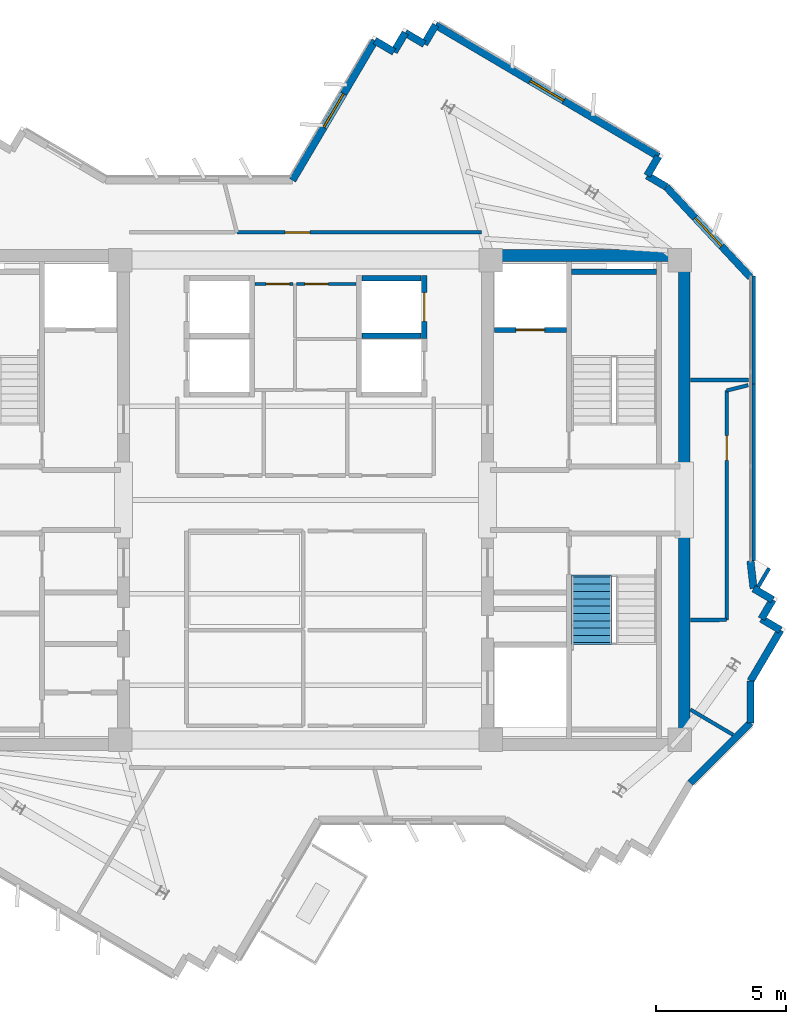
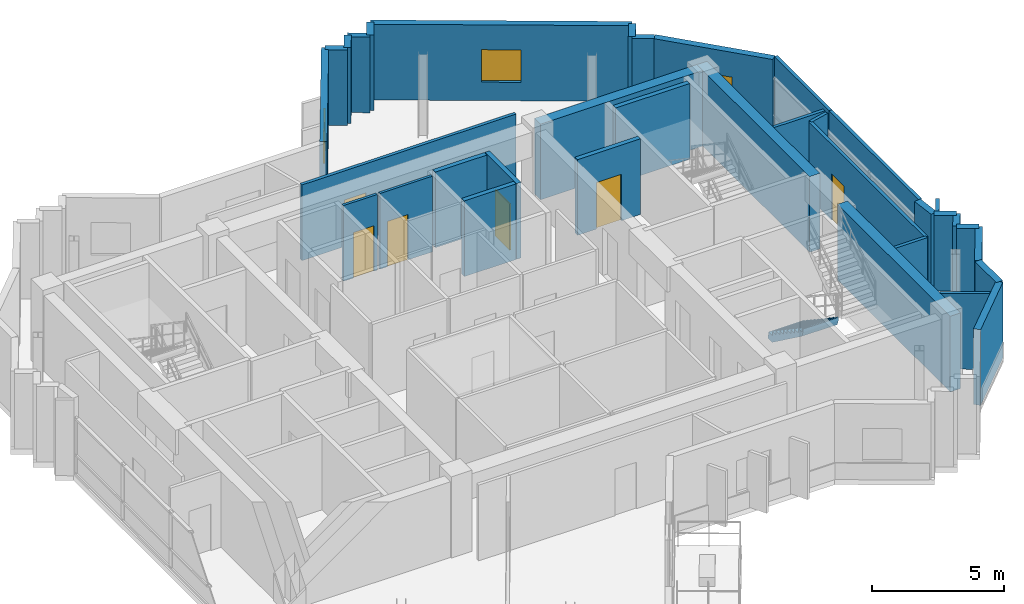
# One storey, part 7 of 10: 35 walls, 6 doors, 3 windows, 1 stair flight, 9 openings, 1 element without a shape of its own.
"""IFC4 building model written with IfcOpenShell, lengths in metres."""

from ifc_helpers import new_model, si_unit, direction, frame, frame_2d, origin, place, context, subcontext, project, spatial, polyline, rectangle, outline, extrude, source, transform, mapped, material, layer, layer_set, type_object, element, fill, aggregate, save


model = new_model("IFC4")

# Units and contexts
model_context = context("Model", 3, precision=1e-05, world=origin(), true_north=direction((0.0, 1.0)))
body_context = subcontext(model_context, "Body", "Model", "MODEL_VIEW")
ifc_project = project(units=[si_unit("LENGTHUNIT", "METRE"), si_unit("AREAUNIT", "SQUARE_METRE"), si_unit("VOLUMEUNIT", "CUBIC_METRE"), si_unit("PLANEANGLEUNIT", "RADIAN"), si_unit("MASSUNIT", "GRAM", prefix="KILO")], contexts=[model_context])

# Site, building, storey
site_placement = place(None, origin())
site = spatial("IfcSite", under=ifc_project, at=site_placement, CompositionType="ELEMENT")
building_placement = place(site_placement, origin())
building = spatial("IfcBuilding", under=site, at=building_placement, Name="Zahravan Cultural Tower", CompositionType="ELEMENT")
storey_placement = place(building_placement, frame((0.0, 0.0, 342.300048828125)))
storey = spatial("IfcBuildingStorey", under=building, at=storey_placement, Name="L83", CompositionType="ELEMENT", Elevation=342.300048828125)

# Wall, opening, window
ifc_material_1 = material(Name="Precast concrete C40/50", Category="concrete")
ifc_layer_1 = layer(ifc_material_1, 0.280029296875)
ifc_layer_set_1 = layer_set([ifc_layer_1], Name="Precast concrete C40/50")
wall_type_1 = type_object("IfcWallType", Name="EW-TC-280", PredefinedType="SOLIDWALL", material=ifc_layer_set_1)
wall_1_placement = place(storey_placement, frame((35.502685546875, 39.260009765625, 0.0), z_axis=(0.0, 0.0, 1.0), x_axis=(0.508266003384, 0.861200133421, 0.0)))
wall_1 = element("IfcWall", 1, at=wall_1_placement, inside=storey, type_object=wall_type_1, Name="L83 Exterior Masonry Frame Wall 01", PredefinedType="SOLIDWALL", context=body_context, shape_type="SweptSolid", body=[
    extrude(rectangle(XDim=6.214599609375, YDim=0.280029296875, at=frame_2d((3.107421875, 0.0))), origin(), (0.0, 0.0, 1.0), 3.5),
])
opening_1_placement = place(wall_1_placement, frame((2.35693359375, 0.0, 0.85009765625)))
opening_1 = element("IfcOpeningElement", 2, at=opening_1_placement, cuts=wall_1, Name="Opening WN-03", PredefinedType="OPENING", context=body_context, shape_type="SweptSolid", body=[
    extrude(rectangle(XDim=1.5, YDim=1.5, at=frame_2d((0.75, 0.75))), frame((0.0, 0.14990234375, 0.0), z_axis=(0.0, -1.0, 0.0), x_axis=(1.0, 0.0, 0.0)), (0.0, 0.0, 1.0), 0.300048828125),
])
ifc_material_2 = material(Name="Low-E solar-control double glazing", Category="glass")
window_type = type_object("IfcWindowType", Name="WN-REC-1500X1500", PartitioningType="SINGLE_PANEL", PredefinedType="WINDOW", material=ifc_material_2)
shared_shape_1 = source(origin(), body_context, "Body", "SweptSolid", [
    extrude(rectangle(XDim=1.5, YDim=1.5, at=frame_2d((0.75, 0.75))), frame((0.0, 0.030029296875, 0.0), z_axis=(0.0, -1.0, 0.0), x_axis=(1.0, 0.0, 0.0)), (0.0, 0.0, 1.0), 0.06005859375),
])
window_1_placement = place(opening_1_placement, origin())
window_1 = element("IfcWindow", 3, at=window_1_placement, inside=storey, type_object=window_type, Name="L83 Recessed Solar Window 01", OverallHeight=1.5, OverallWidth=1.5, PartitioningType="SINGLE_PANEL", PredefinedType="WINDOW", context=body_context, shape_type="MappedRepresentation", body=[
    mapped(shared_shape_1, transform((0.0, 0.0, 0.0), x_axis=(1.0, 0.0, 0.0), y_axis=(0.0, 1.0, 0.0), z_axis=(0.0, 0.0, 1.0), scale=1.0)),
])
fill(opening_1, window_1)

wall_2_placement = place(storey_placement, frame((40.989501953125, 45.2119140625, 0.0), z_axis=(0.0, 0.0, 1.0), x_axis=(0.861192451778, -0.508279018848, 0.0)))
wall_2 = element("IfcWall", 4, at=wall_2_placement, inside=storey, type_object=wall_type_1, Name="L83 Exterior Masonry Frame Wall 06", PredefinedType="SOLIDWALL", context=body_context, shape_type="SweptSolid", body=[
    extrude(rectangle(XDim=9.920166015625, YDim=0.280029296875, at=frame_2d((4.9599609375, 0.0))), origin(), (0.0, 0.0, 1.0), 3.5),
])
opening_2_placement = place(wall_2_placement, frame((4.2099609375, 0.0, 0.85009765625)))
opening_2 = element("IfcOpeningElement", 5, at=opening_2_placement, cuts=wall_2, Name="Opening WN-03", PredefinedType="OPENING", context=body_context, shape_type="SweptSolid", body=[
    extrude(rectangle(XDim=1.5, YDim=1.5, at=frame_2d((0.75, 0.75))), frame((0.0, 0.14990234375, 0.0), z_axis=(0.0, -1.0, 0.0), x_axis=(1.0, 0.0, 0.0)), (0.0, 0.0, 1.0), 0.300048828125),
])
window_2_placement = place(opening_2_placement, origin())
window_2 = element("IfcWindow", 6, at=window_2_placement, inside=storey, type_object=window_type, Name="L83 Recessed Solar Window 02", OverallHeight=1.5, OverallWidth=1.5, PartitioningType="SINGLE_PANEL", PredefinedType="WINDOW", context=body_context, shape_type="MappedRepresentation", body=[
    mapped(shared_shape_1, transform((0.0, 0.0, 0.0), x_axis=(1.0, 0.0, 0.0), y_axis=(0.0, 1.0, 0.0), z_axis=(0.0, 0.0, 1.0), scale=1.0)),
])
fill(opening_2, window_2)

wall_3_placement = place(storey_placement, frame((49.83251953125, 39.005615234375, 0.0), z_axis=(0.0, 0.0, 1.0), x_axis=(0.681733754317, -0.731600361006, 0.0)))
wall_3 = element("IfcWall", 7, at=wall_3_placement, inside=storey, type_object=wall_type_1, Name="L83 Exterior Masonry Frame Wall 09", PredefinedType="SOLIDWALL", context=body_context, shape_type="SweptSolid", body=[
    extrude(rectangle(XDim=4.734375, YDim=0.280029296875, at=frame_2d((2.3671875, 0.0))), origin(), (0.0, 0.0, 1.0), 3.5),
])
opening_3_placement = place(wall_3_placement, frame((1.616943359375, 0.0, 0.85009765625)))
opening_3 = element("IfcOpeningElement", 8, at=opening_3_placement, cuts=wall_3, Name="Opening WN-03", PredefinedType="OPENING", context=body_context, shape_type="SweptSolid", body=[
    extrude(rectangle(XDim=1.5, YDim=1.5, at=frame_2d((0.75, 0.75))), frame((0.0, 0.14990234375, 0.0), z_axis=(0.0, -1.0, 0.0), x_axis=(1.0, 0.0, 0.0)), (0.0, 0.0, 1.0), 0.300048828125),
])
window_3_placement = place(opening_3_placement, origin())
window_3 = element("IfcWindow", 9, at=window_3_placement, inside=storey, type_object=window_type, Name="L83 Recessed Solar Window 03", OverallHeight=1.5, OverallWidth=1.5, PartitioningType="SINGLE_PANEL", PredefinedType="WINDOW", context=body_context, shape_type="MappedRepresentation", body=[
    mapped(shared_shape_1, transform((0.0, 0.0, 0.0), x_axis=(1.0, 0.0, 0.0), y_axis=(0.0, 1.0, 0.0), z_axis=(0.0, 0.0, 1.0), scale=1.0)),
])
fill(opening_3, window_3)

# Wall, opening, door
ifc_material_3 = material(Name="Gypsum plasterboard partition")
ifc_layer_2 = layer(ifc_material_3, 0.139892578125)
ifc_layer_set_2 = layer_set([ifc_layer_2], Name="Gypsum plasterboard partition")
wall_type_2 = type_object("IfcWallType", Name="W-PART-140", PredefinedType="PARTITIONING", material=ifc_layer_set_2)
wall_4_placement = place(storey_placement, frame((52.1474609375, 22.40234375, 0.0), z_axis=(0.0, 0.0, 1.0), x_axis=(0.000277685205, 0.999999961445, 0.0)))
wall_4 = element("IfcWall", 10, at=wall_4_placement, inside=storey, type_object=wall_type_2, Name="L83 Interior Wall 071", PredefinedType="PARTITIONING", context=body_context, shape_type="SweptSolid", body=[
    extrude(rectangle(XDim=8.7919921875, YDim=0.139892578125, at=frame_2d((4.39599609375, 0.0))), origin(), (0.0, 0.0, 1.0), 3.5),
])
opening_4_placement = place(wall_4_placement, frame((6.11669921875, 0.0, 0.0)))
opening_4 = element("IfcOpeningElement", 11, at=opening_4_placement, cuts=wall_4, Name="Opening D-L83-28", PredefinedType="OPENING", context=body_context, shape_type="SweptSolid", body=[
    extrude(rectangle(XDim=0.949951171875, YDim=2.14990234375, at=frame_2d((0.47509765625, 1.074951171875))), frame((0.0, 0.079833984375, 0.0), z_axis=(0.0, -1.0, 0.0), x_axis=(1.0, 0.0, 0.0)), (0.0, 0.0, 1.0), 0.159912109375),
])
ifc_material_4 = material(Name="Anodised bronze-aluminium mullion", Category="aluminium")
door_type_1 = type_object("IfcDoorType", Name="DR-ROOM-950", OperationType="NOTDEFINED", PredefinedType="DOOR", material=ifc_material_4)
shared_shape_2 = source(origin(), body_context, "Body", "SweptSolid", [
    extrude(rectangle(XDim=0.949951171875, YDim=2.14990234375, at=frame_2d((0.47509765625, 1.074951171875))), frame((0.0, 0.02490234375, 0.0), z_axis=(0.0, -1.0, 0.0), x_axis=(1.0, 0.0, 0.0)), (0.0, 0.0, 1.0), 0.050048828125),
])
door_1_placement = place(opening_4_placement, origin())
door_1 = element("IfcDoor", 12, at=door_1_placement, inside=storey, type_object=door_type_1, Name="L83 Door D-L83-28", OperationType="SINGLE_SWING_LEFT", OverallHeight=2.14990234375, OverallWidth=0.949951171875, PredefinedType="DOOR", context=body_context, shape_type="MappedRepresentation", body=[
    mapped(shared_shape_2, transform((0.0, 0.0, 0.0), x_axis=(1.0, 0.0, 0.0), y_axis=(0.0, 1.0, 0.0), z_axis=(0.0, 0.0, 1.0), scale=1.0)),
])
fill(opening_4, door_1)

wall_5_placement = place(storey_placement, frame((42.742431640625, 37.259765625, 0.0), z_axis=(0.0, 0.0, 1.0), x_axis=(-0.999999999661, 2.6043023e-05, 0.0)))
wall_5 = element("IfcWall", 13, at=wall_5_placement, inside=storey, type_object=wall_type_2, Name="L83 Interior Wall 089", PredefinedType="PARTITIONING", context=body_context, shape_type="SweptSolid", body=[
    extrude(rectangle(XDim=9.37451171875, YDim=0.139892578125, at=frame_2d((4.687255859375, 0.0))), origin(), (0.0, 0.0, 1.0), 3.5),
])
opening_5_placement = place(wall_5_placement, frame((6.571044921875, 0.0, 0.0)))
opening_5 = element("IfcOpeningElement", 14, at=opening_5_placement, cuts=wall_5, Name="Opening D-L83-23", PredefinedType="OPENING", context=body_context, shape_type="SweptSolid", body=[
    extrude(rectangle(XDim=0.949951171875, YDim=2.14990234375, at=frame_2d((0.47509765625, 1.074951171875))), frame((0.0, 0.079833984375, 0.0), z_axis=(0.0, -1.0, 0.0), x_axis=(1.0, 0.0, 0.0)), (0.0, 0.0, 1.0), 0.159912109375),
])
door_2_placement = place(opening_5_placement, origin())
door_2 = element("IfcDoor", 15, at=door_2_placement, inside=storey, type_object=door_type_1, Name="L83 Door D-L83-23", OperationType="SINGLE_SWING_RIGHT", OverallHeight=2.14990234375, OverallWidth=0.949951171875, PredefinedType="DOOR", context=body_context, shape_type="MappedRepresentation", body=[
    mapped(shared_shape_2, transform((0.0, 0.0, 0.0), x_axis=(1.0, 0.0, 0.0), y_axis=(0.0, 1.0, 0.0), z_axis=(0.0, 0.0, 1.0), scale=1.0)),
])
fill(opening_5, door_2)

ifc_material_5 = material(Name="Concrete C45/55", Category="concrete")
ifc_layer_3 = layer(ifc_material_5, 0.199951171875)
ifc_layer_set_3 = layer_set([ifc_layer_3], Name="Concrete C45/55")
wall_type_3 = type_object("IfcWallType", Name="W-SHAFT-200", PredefinedType="SOLIDWALL", material=ifc_layer_set_3)
wall_6_placement = place(storey_placement, frame((43.25, 33.52001953125, 0.0), z_axis=(0.0, 0.0, 1.0), x_axis=(1.0, 0.0, 0.0)))
wall_6 = element("IfcWall", 16, at=wall_6_placement, inside=storey, type_object=wall_type_3, Name="L83 Interior Wall 023", PredefinedType="SOLIDWALL", context=body_context, shape_type="SweptSolid", body=[
    extrude(rectangle(XDim=2.75, YDim=0.199951171875, at=frame_2d((1.375, 0.0))), origin(), (0.0, 0.0, 1.0), 3.5),
])
opening_6_placement = place(wall_6_placement, frame((0.820068359375, 0.0, 0.0)))
opening_6 = element("IfcOpeningElement", 17, at=opening_6_placement, cuts=wall_6, Name="Opening LD-L83-02", PredefinedType="OPENING", context=body_context, shape_type="SweptSolid", body=[
    extrude(rectangle(XDim=1.10009765625, YDim=2.14990234375, at=frame_2d((0.550048828125, 1.074951171875))), frame((0.0, 0.10986328125, 0.0), z_axis=(0.0, -1.0, 0.0), x_axis=(1.0, 0.0, 0.0)), (0.0, 0.0, 1.0), 0.219970703125),
])
ifc_material_6 = material(Name="Steel ASTM A572 Grade 50", Category="steel")
door_type_2 = type_object("IfcDoorType", Name="DR-LIFT-1100", OperationType="DOUBLE_DOOR_SLIDING", PredefinedType="DOOR", material=ifc_material_6)
shared_shape_3 = source(origin(), body_context, "Body", "SweptSolid", [
    extrude(rectangle(XDim=1.10009765625, YDim=2.14990234375, at=frame_2d((0.550048828125, 1.074951171875))), frame((0.0, 0.02490234375, 0.0), z_axis=(0.0, -1.0, 0.0), x_axis=(1.0, 0.0, 0.0)), (0.0, 0.0, 1.0), 0.050048828125),
])
door_3_placement = place(opening_6_placement, origin())
door_3 = element("IfcDoor", 18, at=door_3_placement, inside=storey, type_object=door_type_2, Name="L83 Door LD-L83-02", OperationType="DOUBLE_DOOR_SLIDING", OverallHeight=2.14990234375, OverallWidth=1.10009765625, PredefinedType="DOOR", context=body_context, shape_type="MappedRepresentation", body=[
    mapped(shared_shape_3, transform((0.0, 0.0, 0.0), x_axis=(1.0, 0.0, 0.0), y_axis=(0.0, 1.0, 0.0), z_axis=(0.0, 0.0, 1.0), scale=1.0)),
])
fill(opening_6, door_3)

wall_7_placement = place(storey_placement, frame((40.550048828125, 33.199951171875, 0.0), z_axis=(0.0, 0.0, 1.0), x_axis=(0.0, 1.0, 0.0)))
wall_7 = element("IfcWall", 19, at=wall_7_placement, inside=storey, type_object=wall_type_3, Name="L83 Interior Wall 038", PredefinedType="SOLIDWALL", context=body_context, shape_type="SweptSolid", body=[
    extrude(rectangle(XDim=2.400146484375, YDim=0.199951171875, at=frame_2d((1.2001953125, 0.0))), origin(), (0.0, 0.0, 1.0), 3.5),
])
opening_7_placement = place(wall_7_placement, frame((0.64990234375, 0.0, 0.0)))
opening_7 = element("IfcOpeningElement", 20, at=opening_7_placement, cuts=wall_7, Name="Opening LD-L83-06", PredefinedType="OPENING", context=body_context, shape_type="SweptSolid", body=[
    extrude(rectangle(XDim=1.10009765625, YDim=2.14990234375, at=frame_2d((0.550048828125, 1.074951171875))), frame((0.0, 0.10986328125, 0.0), z_axis=(0.0, -1.0, 0.0), x_axis=(1.0, 0.0, 0.0)), (0.0, 0.0, 1.0), 0.219970703125),
])
door_4_placement = place(opening_7_placement, origin())
door_4 = element("IfcDoor", 21, at=door_4_placement, inside=storey, type_object=door_type_2, Name="L83 Door LD-L83-06", OperationType="DOUBLE_DOOR_SLIDING", OverallHeight=2.14990234375, OverallWidth=1.10009765625, PredefinedType="DOOR", context=body_context, shape_type="MappedRepresentation", body=[
    mapped(shared_shape_3, transform((0.0, 0.0, 0.0), x_axis=(1.0, 0.0, 0.0), y_axis=(0.0, 1.0, 0.0), z_axis=(0.0, 0.0, 1.0), scale=1.0)),
])
fill(opening_7, door_4)

ifc_layer_4 = layer(ifc_material_3, 0.114990234375)
ifc_layer_set_4 = layer_set([ifc_layer_4], Name="Gypsum plasterboard partition")
wall_type_4 = type_object("IfcWallType", Name="W-WC-115", PredefinedType="PARTITIONING", material=ifc_layer_set_4)
wall_8_placement = place(storey_placement, frame((35.652587890625, 35.280029296875, 0.0), z_axis=(0.0, 0.0, 1.0), x_axis=(1.0, 0.0, 0.0)))
wall_8 = element("IfcWall", 22, at=wall_8_placement, inside=storey, type_object=wall_type_4, Name="L83 Interior Wall 048", PredefinedType="PARTITIONING", context=body_context, shape_type="SweptSolid", body=[
    extrude(rectangle(XDim=2.29248046875, YDim=0.114990234375, at=frame_2d((1.146240234375, 0.0))), origin(), (0.0, 0.0, 1.0), 3.5),
])
opening_8_placement = place(wall_8_placement, frame((0.3203125, 0.0, 0.0)))
opening_8 = element("IfcOpeningElement", 23, at=opening_8_placement, cuts=wall_8, Name="Opening D-L83-19", PredefinedType="OPENING", context=body_context, shape_type="SweptSolid", body=[
    extrude(rectangle(XDim=0.89990234375, YDim=2.10009765625, at=frame_2d((0.449951171875, 1.050048828125))), frame((0.0, 0.0673828125, 0.0), z_axis=(0.0, -1.0, 0.0), x_axis=(1.0, 0.0, 0.0)), (0.0, 0.0, 1.0), 0.135009765625),
])
door_type_3 = type_object("IfcDoorType", Name="DR-WC-900", OperationType="NOTDEFINED", PredefinedType="DOOR", material=ifc_material_4)
shared_shape_4 = source(origin(), body_context, "Body", "SweptSolid", [
    extrude(rectangle(XDim=0.89990234375, YDim=2.10009765625, at=frame_2d((0.449951171875, 1.050048828125))), frame((0.0, 0.02490234375, 0.0), z_axis=(0.0, -1.0, 0.0), x_axis=(1.0, 0.0, 0.0)), (0.0, 0.0, 1.0), 0.050048828125),
])
door_5_placement = place(opening_8_placement, origin())
door_5 = element("IfcDoor", 24, at=door_5_placement, inside=storey, type_object=door_type_3, Name="L83 Door D-L83-19", OperationType="SINGLE_SWING_RIGHT", OverallHeight=2.10009765625, OverallWidth=0.89990234375, PredefinedType="DOOR", context=body_context, shape_type="MappedRepresentation", body=[
    mapped(shared_shape_4, transform((0.0, 0.0, 0.0), x_axis=(1.0, 0.0, 0.0), y_axis=(0.0, 1.0, 0.0), z_axis=(0.0, 0.0, 1.0), scale=1.0)),
])
fill(opening_8, door_5)

wall_9_placement = place(storey_placement, frame((34.054931640625, 35.280029296875, 0.0), z_axis=(0.0, 0.0, 1.0), x_axis=(1.0, 0.0, 0.0)))
wall_9 = element("IfcWall", 25, at=wall_9_placement, inside=storey, type_object=wall_type_4, Name="L83 Interior Wall 050", PredefinedType="PARTITIONING", context=body_context, shape_type="SweptSolid", body=[
    extrude(rectangle(XDim=1.47265625, YDim=0.114990234375, at=frame_2d((0.736328125, 0.0))), origin(), (0.0, 0.0, 1.0), 3.5),
])
opening_9_placement = place(wall_9_placement, frame((0.4326171875, 0.0, 0.0)))
opening_9 = element("IfcOpeningElement", 26, at=opening_9_placement, cuts=wall_9, Name="Opening D-L83-18", PredefinedType="OPENING", context=body_context, shape_type="SweptSolid", body=[
    extrude(rectangle(XDim=0.89990234375, YDim=2.10009765625, at=frame_2d((0.449951171875, 1.050048828125))), frame((0.0, 0.0673828125, 0.0), z_axis=(0.0, -1.0, 0.0), x_axis=(1.0, 0.0, 0.0)), (0.0, 0.0, 1.0), 0.135009765625),
])
door_6_placement = place(opening_9_placement, origin())
door_6 = element("IfcDoor", 27, at=door_6_placement, inside=storey, type_object=door_type_3, Name="L83 Door D-L83-18", OperationType="SINGLE_SWING_LEFT", OverallHeight=2.10009765625, OverallWidth=0.89990234375, PredefinedType="DOOR", context=body_context, shape_type="MappedRepresentation", body=[
    mapped(shared_shape_4, transform((0.0, 0.0, 0.0), x_axis=(1.0, 0.0, 0.0), y_axis=(0.0, 1.0, 0.0), z_axis=(0.0, 0.0, 1.0), scale=1.0)),
])
fill(opening_9, door_6)

# Walls
ifc_material_7 = material(Name="Concrete C50/60", Category="concrete")
ifc_layer_5 = layer(ifc_material_7, 0.449951171875)
ifc_layer_set_5 = layer_set([ifc_layer_5], Name="Concrete C50/60")
wall_type_5 = type_object("IfcWallType", Name="CW-SHEAR-450-C50", PredefinedType="SHEAR", material=ifc_layer_set_5)
shared_shape_5 = source(origin(), body_context, "Body", "SweptSolid", [
    extrude(rectangle(XDim=8.550048828125, YDim=0.449951171875, at=frame_2d((4.27490234375, 0.0))), origin(), (0.0, 0.0, 1.0), 3.5),
])
for number, where, z_axis, x_axis, name in (
    (28, (50.52490234375, 17.39990234375, 0.0), (0.0, 0.0, 1.0), (0.0, 1.0, 0.0), "L83 Core Shear Wall CW-E-ES-L83"),
    (29, (50.52490234375, 28.050048828125, 0.0), (0.0, 0.0, 1.0), (0.0, 1.0, 0.0), "L83 Core Shear Wall CW-E-EN-L83"),
):
    element("IfcWall", number, at=place(storey_placement, frame(where, z_axis=z_axis, x_axis=x_axis)), inside=storey, type_object=wall_type_5, Name=name, PredefinedType="SHEAR", context=body_context, shape_type="MappedRepresentation", body=[
        mapped(shared_shape_5, transform((0.0, 0.0, 0.0), x_axis=(1.0, 0.0, 0.0), y_axis=(0.0, 1.0, 0.0), z_axis=(0.0, 0.0, 1.0), scale=1.0)),
    ])
shared_shape_6 = source(origin(), body_context, "Body", "SweptSolid", [
    extrude(rectangle(XDim=7.10009765625, YDim=0.449951171875, at=frame_2d((3.550048828125, 0.0))), origin(), (0.0, 0.0, 1.0), 3.5),
])
wall_10_placement = place(storey_placement, frame((43.199951171875, 36.375, 0.0), z_axis=(0.0, 0.0, 1.0), x_axis=(1.0, 0.0, 0.0)))
element("IfcWall", 30, at=wall_10_placement, inside=storey, type_object=wall_type_5, Name="L83 Core Shear Wall CW-E-N-L83", PredefinedType="SHEAR", context=body_context, shape_type="MappedRepresentation", body=[
    mapped(shared_shape_6, transform((0.0, 0.0, 0.0), x_axis=(1.0, 0.0, 0.0), y_axis=(0.0, 1.0, 0.0), z_axis=(0.0, 0.0, 1.0), scale=1.0)),
])
shared_shape_7 = source(origin(), body_context, "Body", "SweptSolid", [
    extrude(rectangle(XDim=0.85009765625, YDim=0.280029296875, at=frame_2d((0.425048828125, 0.0))), origin(), (0.0, 0.0, 1.0), 3.5),
])
for number, where, z_axis, x_axis, name in (
    (31, (38.661376953125, 44.612060546875, 0.0), (0.0, 0.0, 1.0), (0.861195099131, -0.508274533332, 0.0), "L83 Exterior Masonry Frame Wall 02"),
    (32, (39.3935546875, 44.179931640625, 0.0), (0.0, 0.0, 1.0), (0.508061511919, 0.861320788154, 0.0), "L83 Exterior Masonry Frame Wall 03"),
    (33, (39.825439453125, 44.912109375, 0.0), (0.0, 0.0, 1.0), (0.861195099131, -0.508274533332, 0.0), "L83 Exterior Masonry Frame Wall 04"),
    (34, (49.53271484375, 40.169677734375, 0.0), (0.0, 0.0, 1.0), (-0.508400256027, -0.861120885632, 0.0), "L83 Exterior Masonry Frame Wall 07"),
    (35, (49.1005859375, 39.437744140625, 0.0), (0.0, 0.0, 1.0), (0.861120885632, -0.508400256027, 0.0), "L83 Exterior Masonry Frame Wall 08"),
    (36, (53.179931640625, 23.6064453125, 0.0), (0.0, 0.0, 1.0), (0.861320788154, -0.508061511919, 0.0), "L83 Exterior Masonry Frame Wall 11"),
    (37, (53.912109375, 23.174560546875, 0.0), (0.0, 0.0, 1.0), (-0.508274533332, -0.861195099131, 0.0), "L83 Exterior Masonry Frame Wall 12"),
):
    element("IfcWall", number, at=place(storey_placement, frame(where, z_axis=z_axis, x_axis=x_axis)), inside=storey, type_object=wall_type_1, Name=name, PredefinedType="SOLIDWALL", context=body_context, shape_type="MappedRepresentation", body=[
        mapped(shared_shape_7, transform((0.0, 0.0, 0.0), x_axis=(1.0, 0.0, 0.0), y_axis=(0.0, 1.0, 0.0), z_axis=(0.0, 0.0, 1.0), scale=1.0)),
    ])
shared_shape_8 = source(origin(), body_context, "Body", "SweptSolid", [
    extrude(rectangle(XDim=0.849853515625, YDim=0.280029296875, at=frame_2d((0.4248046875, 0.0))), origin(), (0.0, 0.0, 1.0), 3.5),
])
for number, where, z_axis, x_axis, name in (
    (38, (40.5576171875, 44.47998046875, 0.0), (0.0, 0.0, 1.0), (0.508187218622, 0.861246626019, 0.0), "L83 Exterior Masonry Frame Wall 05"),
    (39, (53.47998046875, 22.4423828125, 0.0), (0.0, 0.0, 1.0), (0.861246626019, -0.508187218622, 0.0), "L83 Exterior Masonry Frame Wall 13"),
):
    element("IfcWall", number, at=place(storey_placement, frame(where, z_axis=z_axis, x_axis=x_axis)), inside=storey, type_object=wall_type_1, Name=name, PredefinedType="SOLIDWALL", context=body_context, shape_type="MappedRepresentation", body=[
        mapped(shared_shape_8, transform((0.0, 0.0, 0.0), x_axis=(1.0, 0.0, 0.0), y_axis=(0.0, 1.0, 0.0), z_axis=(0.0, 0.0, 1.0), scale=1.0)),
    ])
shared_shape_9 = source(origin(), body_context, "Body", "SweptSolid", [
    extrude(rectangle(XDim=1.064697265625, YDim=0.280029296875, at=frame_2d((0.5322265625, 0.0))), origin(), (0.0, 0.0, 1.0), 3.5),
])
wall_11_placement = place(storey_placement, frame((53.06005859375, 24.664306640625, 0.0), z_axis=(0.0, 0.0, 1.0), x_axis=(0.112595815397, -0.993640871923, 0.0)))
element("IfcWall", 40, at=wall_11_placement, inside=storey, type_object=wall_type_1, Name="L83 Exterior Masonry Frame Wall 10", PredefinedType="SOLIDWALL", context=body_context, shape_type="MappedRepresentation", body=[
    mapped(shared_shape_9, transform((0.0, 0.0, 0.0), x_axis=(1.0, 0.0, 0.0), y_axis=(0.0, 1.0, 0.0), z_axis=(0.0, 0.0, 1.0), scale=1.0)),
])
shared_shape_10 = source(origin(), body_context, "Body", "SweptSolid", [
    extrude(rectangle(XDim=2.266357421875, YDim=0.280029296875, at=frame_2d((1.13330078125, 0.0))), origin(), (0.0, 0.0, 1.0), 3.5),
])
wall_12_placement = place(storey_placement, frame((54.2119140625, 22.010498046875, 0.0), z_axis=(0.0, 0.0, 1.0), x_axis=(-0.508224770074, -0.861224467304, 0.0)))
element("IfcWall", 41, at=wall_12_placement, inside=storey, type_object=wall_type_1, Name="L83 Exterior Masonry Frame Wall 14", PredefinedType="SOLIDWALL", context=body_context, shape_type="MappedRepresentation", body=[
    mapped(shared_shape_10, transform((0.0, 0.0, 0.0), x_axis=(1.0, 0.0, 0.0), y_axis=(0.0, 1.0, 0.0), z_axis=(0.0, 0.0, 1.0), scale=1.0)),
])
shared_shape_11 = source(origin(), body_context, "Body", "SweptSolid", [
    extrude(rectangle(XDim=1.6005859375, YDim=0.280029296875, at=frame_2d((0.80029296875, 0.0))), origin(), (0.0, 0.0, 1.0), 3.5),
])
wall_13_placement = place(storey_placement, frame((53.06005859375, 20.05859375, 0.0), z_axis=(0.0, 0.0, 1.0), x_axis=(0.0, -1.0, 0.0)))
element("IfcWall", 42, at=wall_13_placement, inside=storey, type_object=wall_type_1, Name="L83 Exterior Masonry Frame Wall 15", PredefinedType="SOLIDWALL", context=body_context, shape_type="MappedRepresentation", body=[
    mapped(shared_shape_11, transform((0.0, 0.0, 0.0), x_axis=(1.0, 0.0, 0.0), y_axis=(0.0, 1.0, 0.0), z_axis=(0.0, 0.0, 1.0), scale=1.0)),
])
shared_shape_12 = source(origin(), body_context, "Body", "SweptSolid", [
    extrude(rectangle(XDim=3.2607421875, YDim=0.280029296875, at=frame_2d((1.63037109375, 0.0))), origin(), (0.0, 0.0, 1.0), 3.5),
])
wall_14_placement = place(storey_placement, frame((53.06005859375, 18.4580078125, 0.0), z_axis=(0.0, 0.0, 1.0), x_axis=(-0.707106781187, -0.707106781187, 0.0)))
element("IfcWall", 43, at=wall_14_placement, inside=storey, type_object=wall_type_1, Name="L83 Exterior Masonry Frame Wall 16", PredefinedType="SOLIDWALL", context=body_context, shape_type="MappedRepresentation", body=[
    mapped(shared_shape_12, transform((0.0, 0.0, 0.0), x_axis=(1.0, 0.0, 0.0), y_axis=(0.0, 1.0, 0.0), z_axis=(0.0, 0.0, 1.0), scale=1.0)),
])
shared_shape_13 = source(origin(), body_context, "Body", "SweptSolid", [
    extrude(rectangle(XDim=3.25, YDim=0.199951171875, at=frame_2d((1.625, 0.0))), origin(), (0.0, 0.0, 1.0), 3.5),
])
wall_15_placement = place(storey_placement, frame((46.199951171875, 35.75, 0.0), z_axis=(0.0, 0.0, 1.0), x_axis=(1.0, 0.0, 0.0)))
element("IfcWall", 44, at=wall_15_placement, inside=storey, type_object=wall_type_3, Name="L83 Interior Wall 018", PredefinedType="SOLIDWALL", context=body_context, shape_type="MappedRepresentation", body=[
    mapped(shared_shape_13, transform((0.0, 0.0, 0.0), x_axis=(1.0, 0.0, 0.0), y_axis=(0.0, 1.0, 0.0), z_axis=(0.0, 0.0, 1.0), scale=1.0)),
])
shared_shape_14 = source(origin(), body_context, "Body", "SweptSolid", [
    extrude(rectangle(XDim=2.260009765625, YDim=0.199951171875, at=frame_2d((1.1298828125, 0.0))), origin(), (0.0, 0.0, 1.0), 3.5),
])
for number, where, z_axis, x_axis, name in (
    (45, (38.169921875, 33.300048828125, 0.0), (0.0, 0.0, 1.0), (1.0, 0.0, 0.0), "L83 Interior Wall 039"),
    (46, (38.169921875, 35.5, 0.0), (0.0, 0.0, 1.0), (1.0, 0.0, 0.0), "L83 Interior Wall 040"),
):
    element("IfcWall", number, at=place(storey_placement, frame(where, z_axis=z_axis, x_axis=x_axis)), inside=storey, type_object=wall_type_3, Name=name, PredefinedType="SOLIDWALL", context=body_context, shape_type="MappedRepresentation", body=[
        mapped(shared_shape_14, transform((0.0, 0.0, 0.0), x_axis=(1.0, 0.0, 0.0), y_axis=(0.0, 1.0, 0.0), z_axis=(0.0, 0.0, 1.0), scale=1.0)),
    ])
shared_shape_15 = source(origin(), body_context, "Body", "SweptSolid", [
    extrude(rectangle(XDim=2.22265625, YDim=0.139892578125, at=frame_2d((1.111328125, 0.0))), origin(), (0.0, 0.0, 1.0), 3.5),
])
wall_16_placement = place(storey_placement, frame((52.9775390625, 31.598388671875, 0.0), z_axis=(0.0, 0.0, 1.0), x_axis=(-0.999999704402, 0.000768892567, 0.0)))
element("IfcWall", 47, at=wall_16_placement, inside=storey, type_object=wall_type_2, Name="L83 Interior Wall 088", PredefinedType="PARTITIONING", context=body_context, shape_type="MappedRepresentation", body=[
    mapped(shared_shape_15, transform((0.0, 0.0, 0.0), x_axis=(1.0, 0.0, 0.0), y_axis=(0.0, 1.0, 0.0), z_axis=(0.0, 0.0, 1.0), scale=1.0)),
])
shared_shape_16 = source(origin(), body_context, "Body", "SweptSolid", [
    extrude(rectangle(XDim=1.392578125, YDim=0.139892578125, at=frame_2d((0.6962890625, 0.0))), origin(), (0.0, 0.0, 1.0), 3.5),
])
wall_17_placement = place(storey_placement, frame((50.7548828125, 22.400146484375, 0.0), z_axis=(0.0, 0.0, 1.0), x_axis=(0.999998755213, 0.001577838148, 0.0)))
element("IfcWall", 48, at=wall_17_placement, inside=storey, type_object=wall_type_2, Name="L83 Interior Wall 070", PredefinedType="PARTITIONING", context=body_context, shape_type="MappedRepresentation", body=[
    mapped(shared_shape_16, transform((0.0, 0.0, 0.0), x_axis=(1.0, 0.0, 0.0), y_axis=(0.0, 1.0, 0.0), z_axis=(0.0, 0.0, 1.0), scale=1.0)),
])
shared_shape_17 = source(origin(), body_context, "Body", "SweptSolid", [
    extrude(rectangle(XDim=0.847900390625, YDim=0.139892578125, at=frame_2d((0.423828125, 0.0))), origin(), (0.0, 0.0, 1.0), 3.5),
])
wall_18_placement = place(storey_placement, frame((52.14990234375, 31.1943359375, 0.0), z_axis=(0.0, 0.0, 1.0), x_axis=(0.969955921728, 0.243280722428, 0.0)))
element("IfcWall", 49, at=wall_18_placement, inside=storey, type_object=wall_type_2, Name="L83 Interior Wall 072", PredefinedType="PARTITIONING", context=body_context, shape_type="MappedRepresentation", body=[
    mapped(shared_shape_17, transform((0.0, 0.0, 0.0), x_axis=(1.0, 0.0, 0.0), y_axis=(0.0, 1.0, 0.0), z_axis=(0.0, 0.0, 1.0), scale=1.0)),
])
shared_shape_18 = source(origin(), body_context, "Body", "SweptSolid", [
    extrude(rectangle(XDim=6.779541015625, YDim=0.139892578125, at=frame_2d((3.3896484375, 0.0))), origin(), (0.0, 0.0, 1.0), 3.5),
])
wall_19_placement = place(storey_placement, frame((53.179931640625, 31.45263671875, 0.0), z_axis=(0.0, 0.0, 1.0), x_axis=(7.2022759e-05, -0.999999997406, 0.0)))
element("IfcWall", 50, at=wall_19_placement, inside=storey, type_object=wall_type_2, Name="L83 Interior Wall 073", PredefinedType="PARTITIONING", context=body_context, shape_type="MappedRepresentation", body=[
    mapped(shared_shape_18, transform((0.0, 0.0, 0.0), x_axis=(1.0, 0.0, 0.0), y_axis=(0.0, 1.0, 0.0), z_axis=(0.0, 0.0, 1.0), scale=1.0)),
])
shared_shape_19 = source(origin(), body_context, "Body", "SweptSolid", [
    extrude(rectangle(XDim=0.824951171875, YDim=0.139892578125, at=frame_2d((0.41259765625, 0.0))), origin(), (0.0, 0.0, 1.0), 3.5),
])
wall_20_placement = place(storey_placement, frame((53.776123046875, 24.381103515625, 0.0), z_axis=(0.0, 0.0, 1.0), x_axis=(-0.507472658058, -0.861667860213, 0.0)))
element("IfcWall", 51, at=wall_20_placement, inside=storey, type_object=wall_type_2, Name="L83 Interior Wall 074", PredefinedType="PARTITIONING", context=body_context, shape_type="MappedRepresentation", body=[
    mapped(shared_shape_19, transform((0.0, 0.0, 0.0), x_axis=(1.0, 0.0, 0.0), y_axis=(0.0, 1.0, 0.0), z_axis=(0.0, 0.0, 1.0), scale=1.0)),
])
shared_shape_20 = source(origin(), body_context, "Body", "SweptSolid", [
    extrude(rectangle(XDim=1.903564453125, YDim=0.139892578125, at=frame_2d((0.95166015625, 0.0))), origin(), (0.0, 0.0, 1.0), 3.5),
])
wall_21_placement = place(storey_placement, frame((52.394287109375, 17.997314453125, 0.0), z_axis=(0.0, 0.0, 1.0), x_axis=(-0.86120470185, 0.508258262611, 0.0)))
element("IfcWall", 52, at=wall_21_placement, inside=storey, type_object=wall_type_2, Name="L83 Interior Wall 075", PredefinedType="PARTITIONING", context=body_context, shape_type="MappedRepresentation", body=[
    mapped(shared_shape_20, transform((0.0, 0.0, 0.0), x_axis=(1.0, 0.0, 0.0), y_axis=(0.0, 1.0, 0.0), z_axis=(0.0, 0.0, 1.0), scale=1.0)),
])
shared_shape_21 = source(origin(), body_context, "Body", "SweptSolid", [
    extrude(rectangle(XDim=4.13916015625, YDim=0.139892578125, at=frame_2d((2.069580078125, 0.0))), origin(), (0.0, 0.0, 1.0), 3.5),
])
wall_22_placement = place(storey_placement, frame((53.179931640625, 35.591796875, 0.0), z_axis=(0.0, 0.0, 1.0), x_axis=(0.0, -1.0, 0.0)))
element("IfcWall", 53, at=wall_22_placement, inside=storey, type_object=wall_type_2, Name="L83 Interior Wall 090", PredefinedType="PARTITIONING", context=body_context, shape_type="MappedRepresentation", body=[
    mapped(shared_shape_21, transform((0.0, 0.0, 0.0), x_axis=(1.0, 0.0, 0.0), y_axis=(0.0, 1.0, 0.0), z_axis=(0.0, 0.0, 1.0), scale=1.0)),
])

# Stair, stair flight
stair_type = type_object("IfcStairType", Name="STR-DL-1550-375", PredefinedType="HALF_TURN_STAIR", material=ifc_material_5)
stair_placement = place(storey_placement, origin())
stair = element("IfcStair", 54, at=stair_placement, inside=storey, type_object=stair_type, Name="L83 East Core South Exit Stair ST-E2", PredefinedType="HALF_TURN_STAIR")
stair_flight_type = type_object("IfcStairFlightType", Name="FLG-DL-1550-375", PredefinedType="STRAIGHT", material=ifc_material_5)
stair_flight_placement = place(storey_placement, frame((46.97509765625, 24.050048828125, 0.0), z_axis=(0.0, 0.0, 1.0), x_axis=(0.0, -1.0, 0.0)))
stair_flight = element("IfcStairFlight", 55, at=stair_flight_placement, type_object=stair_flight_type, Name="ST-E2 flight 1", NumberOfRisers=10, NumberOfTreads=9, PredefinedType="STRAIGHT", RiserHeight=0.1875, TreadLength=0.28, context=body_context, shape_type="SweptSolid", body=[
    extrude(outline(polyline([(-0.06494140625, -0.139892578125), (-0.06494140625, 0.0), (0.0, 0.0), (0.0, 0.1875), (0.280029296875, 0.1875), (0.280029296875, 0.375), (0.56005859375, 0.375), (0.56005859375, 0.5625), (0.840087890625, 0.5625), (0.840087890625, 0.75), (1.1201171875, 0.75), (1.1201171875, 0.9375), (1.39990234375, 0.9375), (1.39990234375, 1.125), (1.679931640625, 1.125), (1.679931640625, 1.3125), (1.9599609375, 1.3125), (1.9599609375, 1.5), (2.239990234375, 1.5), (2.239990234375, 1.6875), (2.52001953125, 1.6875), (2.52001953125, 1.875), (2.5849609375, 1.875), (2.5849609375, 1.72509765625), (2.52001953125, 1.507080078125), (0.26953125, -0.139892578125), (-0.06494140625, -0.139892578125)])), frame((0.0, 0.77490234375, 0.0), z_axis=(0.0, -1.0, 0.0), x_axis=(1.0, 0.0, 0.0)), (0.0, 0.0, 1.0), 1.550048828125),
])
aggregate(stair, [stair_flight])

save(model, "model.ifc")
